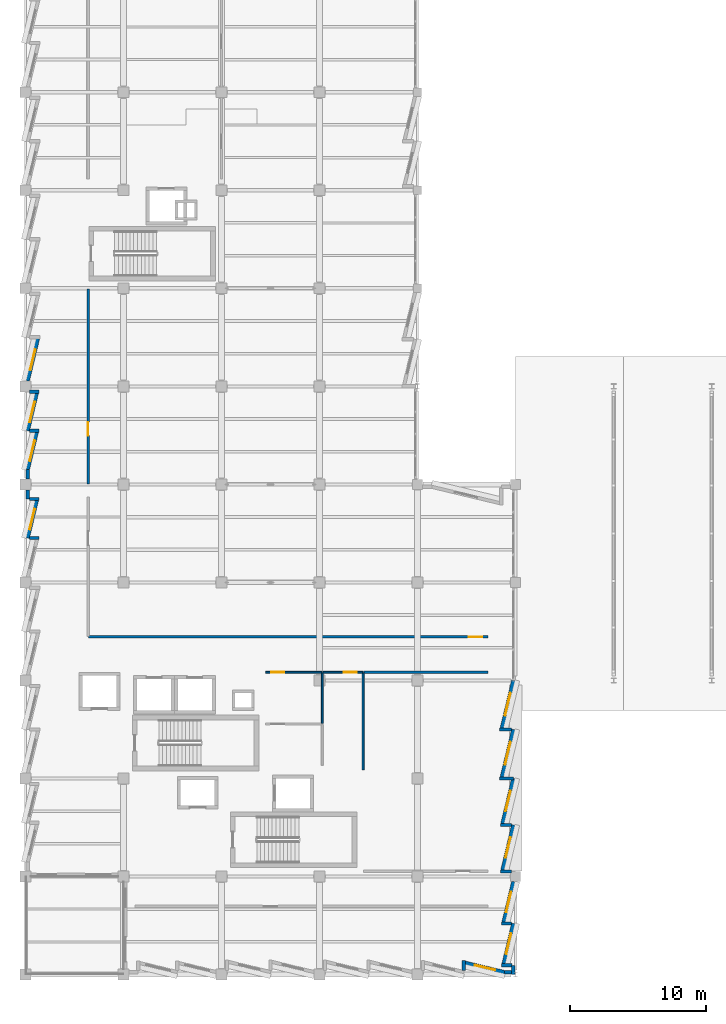
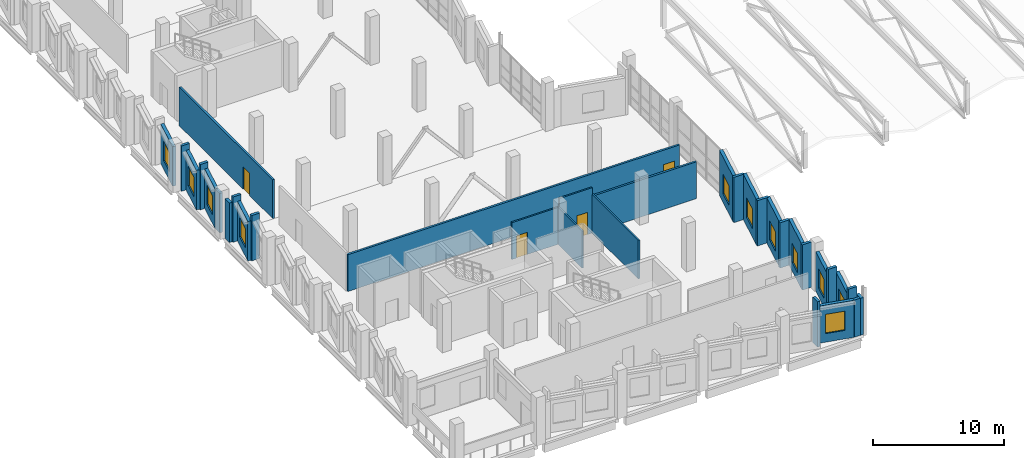
# One storey, part 90 of 123: 33 walls, 11 windows, 4 doors, 15 openings.
"""IFC4 building model written with IfcOpenShell, lengths in metres."""

from ifc_helpers import new_model, si_unit, direction, frame, frame_2d, origin, place, context, subcontext, project, spatial, rectangle, extrude, material, layer, layer_set, type_object, element, fill, save


model = new_model("IFC4")

# Units and contexts
model_context = context("Model", 3, precision=1e-05, world=origin(), true_north=direction((0.0, 1.0)))
body_context = subcontext(model_context, "Body", "Model", "MODEL_VIEW")
ifc_project = project(units=[si_unit("LENGTHUNIT", "METRE"), si_unit("AREAUNIT", "SQUARE_METRE"), si_unit("VOLUMEUNIT", "CUBIC_METRE"), si_unit("PLANEANGLEUNIT", "RADIAN"), si_unit("MASSUNIT", "GRAM", prefix="KILO")], contexts=[model_context])

# Site, building, storey
site_placement = place(None, origin())
site = spatial("IfcSite", under=ifc_project, at=site_placement, CompositionType="ELEMENT")
building_placement = place(site_placement, origin())
building = spatial("IfcBuilding", under=site, at=building_placement, Name="Kalmorath City Hall", CompositionType="ELEMENT")
storey_placement = place(building_placement, frame((0.0, 0.0, 10.199951171875)))
storey = spatial("IfcBuildingStorey", under=building, at=storey_placement, Name="L02", CompositionType="ELEMENT", Elevation=10.199951171875)

# Wall, opening, door
ifc_material_1 = material(Name="Fire-rated acoustic gypsum partition")
ifc_layer_1 = layer(ifc_material_1, 0.179931640625)
ifc_layer_set_1 = layer_set([ifc_layer_1], Name="Fire-rated acoustic gypsum partition")
wall_type_1 = type_object("IfcWallType", Name="One-hour corridor fire partition 180", PredefinedType="PARTITIONING", material=ifc_layer_set_1)
wall_1_placement = place(storey_placement, frame((4.60009765625, 36.0400390625, 0.0), z_axis=(0.0, 0.0, 1.0), x_axis=(0.0, 1.0, 0.0)))
wall_1 = element("IfcWall", 1, at=wall_1_placement, inside=storey, type_object=wall_type_1, Name="L02 interior partition PW2 #107", PredefinedType="PARTITIONING", context=body_context, shape_type="SweptSolid", body=[
    extrude(rectangle(XDim=14.320068359375, YDim=0.179931640625, at=frame_2d((7.16015625, 0.0))), origin(), (0.0, 0.0, 1.0), 3.6181640625),
])
opening_1_placement = place(wall_1_placement, frame((3.5400390625, 0.0, 0.0)))
opening_1 = element("IfcOpeningElement", 2, at=opening_1_placement, cuts=wall_1, Name="Opening D-L02-209", PredefinedType="OPENING", context=body_context, shape_type="SweptSolid", body=[
    extrude(rectangle(XDim=1.0, YDim=2.10009765625, at=frame_2d((0.5, 1.050048828125))), frame((0.0, 0.099853515625, 0.0), z_axis=(0.0, -1.0, 0.0), x_axis=(1.0, 0.0, 0.0)), (0.0, 0.0, 1.0), 0.199951171875),
])
ifc_material_2 = material(Name="Hardwood fire door", Category="wood")
door_type_1 = type_object("IfcDoorType", Name="Corridor 60-min fire door 1000x2100", OperationType="NOTDEFINED", PredefinedType="DOOR", material=ifc_material_2)
door_1_placement = place(opening_1_placement, origin())
door_1 = element("IfcDoor", 3, at=door_1_placement, inside=storey, type_object=door_type_1, Name="L02 door D-L02-209", OperationType="SINGLE_SWING_LEFT", OverallHeight=2.10009765625, OverallWidth=1.0, PredefinedType="DOOR", context=body_context, shape_type="SweptSolid", body=[
    extrude(rectangle(XDim=1.0, YDim=2.10009765625, at=frame_2d((0.5, 1.050048828125))), frame((0.0, 0.02490234375, 0.0), z_axis=(0.0, -1.0, 0.0), x_axis=(1.0, 0.0, 0.0)), (0.0, 0.0, 1.0), 0.050048828125),
])
fill(opening_1, door_1)

# Wall
wall_2_placement = place(storey_placement, frame((24.840087890625, 22.199951171875, 0.0), z_axis=(0.0, 0.0, 1.0), x_axis=(1.0, 0.0, 0.0)))
element("IfcWall", 4, at=wall_2_placement, inside=storey, type_object=wall_type_1, Name="L02 interior partition PW2 #109", PredefinedType="PARTITIONING", context=body_context, shape_type="SweptSolid", body=[
    extrude(rectangle(XDim=9.119873046875, YDim=0.179931640625, at=frame_2d((4.56005859375, 0.0))), origin(), (0.0, 0.0, 1.0), 3.450927734375),
])

# Wall, opening, door
wall_3_placement = place(storey_placement, frame((4.639892578125, 24.800048828125, 0.0), z_axis=(0.0, 0.0, 1.0), x_axis=(1.0, 0.0, 0.0)))
wall_3 = element("IfcWall", 5, at=wall_3_placement, inside=storey, type_object=wall_type_1, Name="L02 interior partition PW2 #110", PredefinedType="PARTITIONING", context=body_context, shape_type="SweptSolid", body=[
    extrude(rectangle(XDim=29.320068359375, YDim=0.179931640625, at=frame_2d((14.66015625, 0.0))), origin(), (0.0, 0.0, 1.0), 3.450927734375),
])
opening_2_placement = place(wall_3_placement, frame((27.89990234375, 0.0, 0.0)))
opening_2 = element("IfcOpeningElement", 6, at=opening_2_placement, cuts=wall_3, Name="Opening D-L02-207", PredefinedType="OPENING", context=body_context, shape_type="SweptSolid", body=[
    extrude(rectangle(XDim=1.0, YDim=2.10009765625, at=frame_2d((0.5, 1.050048828125))), frame((0.0, 0.099853515625, 0.0), z_axis=(0.0, -1.0, 0.0), x_axis=(1.0, 0.0, 0.0)), (0.0, 0.0, 1.0), 0.199951171875),
])
door_2_placement = place(opening_2_placement, origin())
door_2 = element("IfcDoor", 7, at=door_2_placement, inside=storey, type_object=door_type_1, Name="L02 door D-L02-207", OperationType="SINGLE_SWING_LEFT", OverallHeight=2.10009765625, OverallWidth=1.0, PredefinedType="DOOR", context=body_context, shape_type="SweptSolid", body=[
    extrude(rectangle(XDim=1.0, YDim=2.10009765625, at=frame_2d((0.5, 1.050048828125))), frame((0.0, 0.02490234375, 0.0), z_axis=(0.0, -1.0, 0.0), x_axis=(1.0, 0.0, 0.0)), (0.0, 0.0, 1.0), 0.050048828125),
])
fill(opening_2, door_2)

# Walls
ifc_material_3 = material(Name="Precast concrete C40/50", Category="concrete")
ifc_layer_2 = layer(ifc_material_3, 0.239990234375)
ifc_layer_set_2 = layer_set([ifc_layer_2], Name="Precast concrete C40/50")
wall_type_2 = type_object("IfcWallType", Name="Precast sawtooth cheek wall 240", PredefinedType="SOLIDWALL", material=ifc_layer_set_2)
wall_4_placement = place(storey_placement, frame((0.991455078125, 32.06005859375, 0.0), z_axis=(0.0, 0.0, 1.0), x_axis=(-1.0, 0.0, 0.0)))
element("IfcWall", 8, at=wall_4_placement, inside=storey, type_object=wall_type_2, Name="L02 sawtooth return cheek #365", PredefinedType="SOLIDWALL", context=body_context, shape_type="SweptSolid", body=[
    extrude(rectangle(XDim=0.699462890625, YDim=0.239990234375, at=frame_2d((0.349609375, 0.0))), origin(), (0.0, 0.0, 1.0), 4.239990234375),
])
wall_5_placement = place(storey_placement, frame((0.991455078125, 34.9189453125, 0.0), z_axis=(0.0, 0.0, 1.0), x_axis=(-1.0, 0.0, 0.0)))
element("IfcWall", 9, at=wall_5_placement, inside=storey, type_object=wall_type_2, Name="L02 sawtooth return cheek #367", PredefinedType="SOLIDWALL", context=body_context, shape_type="SweptSolid", body=[
    extrude(rectangle(XDim=0.70947265625, YDim=0.239990234375, at=frame_2d((0.354736328125, 0.0))), origin(), (0.0, 0.0, 1.0), 4.239990234375),
])
for number, where, z_axis, x_axis, name in (
    (10, (0.991455078125, 39.93994140625, 0.0), (0.0, 0.0, 1.0), (-1.0, 0.0, 0.0), "L02 sawtooth return cheek #370"),
    (11, (0.991455078125, 42.799072265625, 0.0), (0.0, 0.0, 1.0), (-1.0, 0.0, 0.0), "L02 sawtooth return cheek #372"),
):
    element("IfcWall", number, at=place(storey_placement, frame(where, z_axis=z_axis, x_axis=x_axis)), inside=storey, type_object=wall_type_2, Name=name, PredefinedType="SOLIDWALL", context=body_context, shape_type="SweptSolid", body=[
        extrude(rectangle(XDim=0.699462890625, YDim=0.239990234375, at=frame_2d((0.349609375, 0.0))), origin(), (0.0, 0.0, 1.0), 4.239990234375),
    ])
wall_6_placement = place(storey_placement, frame((34.830810546875, 18.0, 0.0), z_axis=(0.0, 0.0, 1.0), x_axis=(1.0, 0.0, 0.0)))
element("IfcWall", 12, at=wall_6_placement, inside=storey, type_object=wall_type_2, Name="L02 sawtooth return cheek #499", PredefinedType="SOLIDWALL", context=body_context, shape_type="SweptSolid", body=[
    extrude(rectangle(XDim=0.877197265625, YDim=0.239990234375, at=frame_2d((0.4384765625, 0.0))), origin(), (0.0, 0.0, 1.0), 4.239990234375),
])
wall_7_placement = place(storey_placement, frame((34.830810546875, 14.39990234375, 0.0), z_axis=(0.0, 0.0, 1.0), x_axis=(1.0, 0.0, 0.0)))
element("IfcWall", 13, at=wall_7_placement, inside=storey, type_object=wall_type_2, Name="L02 sawtooth return cheek #501", PredefinedType="SOLIDWALL", context=body_context, shape_type="SweptSolid", body=[
    extrude(rectangle(XDim=1.019287109375, YDim=0.239990234375, at=frame_2d((0.509765625, 0.0))), origin(), (0.0, 0.0, 1.0), 4.239990234375),
])
for number, where, z_axis, x_axis, name in (
    (14, (34.8759765625, 10.988037109375, 0.0), (0.0, 0.0, 1.0), (1.0, 0.0, 0.0), "L02 sawtooth return cheek #503"),
    (15, (34.8759765625, 7.575927734375, 0.0), (0.0, 0.0, 1.0), (1.0, 0.0, 0.0), "L02 sawtooth return cheek #505"),
):
    element("IfcWall", number, at=place(storey_placement, frame(where, z_axis=z_axis, x_axis=x_axis)), inside=storey, type_object=wall_type_2, Name=name, PredefinedType="SOLIDWALL", context=body_context, shape_type="SweptSolid", body=[
        extrude(rectangle(XDim=0.83203125, YDim=0.239990234375, at=frame_2d((0.416015625, 0.0))), origin(), (0.0, 0.0, 1.0), 4.239990234375),
    ])
wall_8_placement = place(storey_placement, frame((34.95751953125, 3.751953125, 0.0), z_axis=(0.0, 0.0, 1.0), x_axis=(1.0, 0.0, 0.0)))
element("IfcWall", 16, at=wall_8_placement, inside=storey, type_object=wall_type_2, Name="L02 sawtooth return cheek #508", PredefinedType="SOLIDWALL", context=body_context, shape_type="SweptSolid", body=[
    extrude(rectangle(XDim=0.75048828125, YDim=0.239990234375, at=frame_2d((0.375244140625, 0.0))), origin(), (0.0, 0.0, 1.0), 4.239990234375),
])
wall_9_placement = place(storey_placement, frame((34.95751953125, 0.679931640625, 0.0), z_axis=(0.0, 0.0, 1.0), x_axis=(1.0, 0.0, 0.0)))
element("IfcWall", 17, at=wall_9_placement, inside=storey, type_object=wall_type_2, Name="L02 sawtooth return cheek #510", PredefinedType="SOLIDWALL", context=body_context, shape_type="SweptSolid", body=[
    extrude(rectangle(XDim=0.760498046875, YDim=0.239990234375, at=frame_2d((0.38037109375, 0.0))), origin(), (0.0, 0.0, 1.0), 4.239990234375),
])
wall_10_placement = place(storey_placement, frame((32.196533203125, 1.024169921875, 0.0), z_axis=(0.0, 0.0, 1.0), x_axis=(0.0, -1.0, 0.0)))
element("IfcWall", 18, at=wall_10_placement, inside=storey, type_object=wall_type_2, Name="L02 sawtooth return cheek #513", PredefinedType="SOLIDWALL", context=body_context, shape_type="SweptSolid", body=[
    extrude(rectangle(XDim=0.732177734375, YDim=0.239990234375, at=frame_2d((0.3662109375, 0.0))), origin(), (0.0, 0.0, 1.0), 4.239990234375),
])

# Wall, opening, window
ifc_material_4 = material(Name="Precast concrete C40/50", Category="concrete")
ifc_layer_3 = layer(ifc_material_4, 0.280029296875)
ifc_layer_set_3 = layer_set([ifc_layer_3], Name="Precast concrete C40/50")
wall_type_3 = type_object("IfcWallType", Name="Precast sawtooth facade wall 280", PredefinedType="SOLIDWALL", material=ifc_layer_set_3)
wall_11_placement = place(storey_placement, frame((0.159912109375, 32.06005859375, 0.0), z_axis=(0.0, 0.0, 1.0), x_axis=(0.233480047176, 0.972361593015, 0.0)))
wall_11 = element("IfcWall", 19, at=wall_11_placement, inside=storey, type_object=wall_type_3, Name="L02 sawtooth precast frame #366", PredefinedType="SOLIDWALL", context=body_context, shape_type="SweptSolid", body=[
    extrude(rectangle(XDim=2.84521484375, YDim=0.280029296875, at=frame_2d((1.422607421875, 0.0))), origin(), (0.0, 0.0, 1.0), 3.696044921875),
])
opening_3_placement = place(wall_11_placement, frame((0.647705078125, 0.0, 0.800048828125)))
opening_3 = element("IfcOpeningElement", 20, at=opening_3_placement, cuts=wall_11, Name="Opening WN5", PredefinedType="OPENING", context=body_context, shape_type="SweptSolid", body=[
    extrude(rectangle(XDim=1.550048828125, YDim=1.800048828125, at=frame_2d((0.77490234375, 0.89990234375))), frame((0.0, 0.14990234375, 0.0), z_axis=(0.0, -1.0, 0.0), x_axis=(1.0, 0.0, 0.0)), (0.0, 0.0, 1.0), 0.300048828125),
])
ifc_material_5 = material(Name="Aluminium and laminated glass", Category="aluminium")
window_type_1 = type_object("IfcWindowType", Name="Sawtooth corner bay window 1550x1800", PartitioningType="SINGLE_PANEL", PredefinedType="WINDOW", material=ifc_material_5)
window_1_placement = place(opening_3_placement, origin())
window_1 = element("IfcWindow", 21, at=window_1_placement, inside=storey, type_object=window_type_1, Name="L02 window WN5-176", OverallHeight=1.800048828125, OverallWidth=1.550048828125, PartitioningType="SINGLE_PANEL", PredefinedType="WINDOW", context=body_context, shape_type="SweptSolid", body=[
    extrude(rectangle(XDim=1.550048828125, YDim=1.800048828125, at=frame_2d((0.77490234375, 0.89990234375))), frame((0.0, 0.030029296875, 0.0), z_axis=(0.0, -1.0, 0.0), x_axis=(1.0, 0.0, 0.0)), (0.0, 0.0, 1.0), 0.06005859375),
])
fill(opening_3, window_1)

wall_12_placement = place(storey_placement, frame((0.159912109375, 37.0810546875, 0.0), z_axis=(0.0, 0.0, 1.0), x_axis=(0.233480047176, 0.972361593015, 0.0)))
wall_12 = element("IfcWall", 22, at=wall_12_placement, inside=storey, type_object=wall_type_3, Name="L02 sawtooth precast frame #369", PredefinedType="SOLIDWALL", context=body_context, shape_type="SweptSolid", body=[
    extrude(rectangle(XDim=2.84521484375, YDim=0.280029296875, at=frame_2d((1.422607421875, 0.0))), origin(), (0.0, 0.0, 1.0), 3.696044921875),
])
opening_4_placement = place(wall_12_placement, frame((0.647705078125, 0.0, 0.800048828125)))
opening_4 = element("IfcOpeningElement", 23, at=opening_4_placement, cuts=wall_12, Name="Opening WN5", PredefinedType="OPENING", context=body_context, shape_type="SweptSolid", body=[
    extrude(rectangle(XDim=1.550048828125, YDim=1.800048828125, at=frame_2d((0.77490234375, 0.89990234375))), frame((0.0, 0.14990234375, 0.0), z_axis=(0.0, -1.0, 0.0), x_axis=(1.0, 0.0, 0.0)), (0.0, 0.0, 1.0), 0.300048828125),
])
window_2_placement = place(opening_4_placement, origin())
window_2 = element("IfcWindow", 24, at=window_2_placement, inside=storey, type_object=window_type_1, Name="L02 window WN5-177", OverallHeight=1.800048828125, OverallWidth=1.550048828125, PartitioningType="SINGLE_PANEL", PredefinedType="WINDOW", context=body_context, shape_type="SweptSolid", body=[
    extrude(rectangle(XDim=1.550048828125, YDim=1.800048828125, at=frame_2d((0.77490234375, 0.89990234375))), frame((0.0, 0.030029296875, 0.0), z_axis=(0.0, -1.0, 0.0), x_axis=(1.0, 0.0, 0.0)), (0.0, 0.0, 1.0), 0.06005859375),
])
fill(opening_4, window_2)

wall_13_placement = place(storey_placement, frame((0.159912109375, 39.93994140625, 0.0), z_axis=(0.0, 0.0, 1.0), x_axis=(0.233480047176, 0.972361593015, 0.0)))
wall_13 = element("IfcWall", 25, at=wall_13_placement, inside=storey, type_object=wall_type_3, Name="L02 sawtooth precast frame #371", PredefinedType="SOLIDWALL", context=body_context, shape_type="SweptSolid", body=[
    extrude(rectangle(XDim=2.84521484375, YDim=0.280029296875, at=frame_2d((1.422607421875, 0.0))), origin(), (0.0, 0.0, 1.0), 3.696044921875),
])
opening_5_placement = place(wall_13_placement, frame((0.647705078125, 0.0, 0.800048828125)))
opening_5 = element("IfcOpeningElement", 26, at=opening_5_placement, cuts=wall_13, Name="Opening WN5", PredefinedType="OPENING", context=body_context, shape_type="SweptSolid", body=[
    extrude(rectangle(XDim=1.550048828125, YDim=1.800048828125, at=frame_2d((0.77490234375, 0.89990234375))), frame((0.0, 0.14990234375, 0.0), z_axis=(0.0, -1.0, 0.0), x_axis=(1.0, 0.0, 0.0)), (0.0, 0.0, 1.0), 0.300048828125),
])
window_3_placement = place(opening_5_placement, origin())
window_3 = element("IfcWindow", 27, at=window_3_placement, inside=storey, type_object=window_type_1, Name="L02 window WN5-178", OverallHeight=1.800048828125, OverallWidth=1.550048828125, PartitioningType="SINGLE_PANEL", PredefinedType="WINDOW", context=body_context, shape_type="SweptSolid", body=[
    extrude(rectangle(XDim=1.550048828125, YDim=1.800048828125, at=frame_2d((0.77490234375, 0.89990234375))), frame((0.0, 0.030029296875, 0.0), z_axis=(0.0, -1.0, 0.0), x_axis=(1.0, 0.0, 0.0)), (0.0, 0.0, 1.0), 0.06005859375),
])
fill(opening_5, window_3)

wall_14_placement = place(storey_placement, frame((0.159912109375, 43.60107421875, 0.0), z_axis=(0.0, 0.0, 1.0), x_axis=(0.233462551123, 0.972365793939, 0.0)))
wall_14 = element("IfcWall", 28, at=wall_14_placement, inside=storey, type_object=wall_type_3, Name="L02 sawtooth precast frame #373", PredefinedType="SOLIDWALL", context=body_context, shape_type="SweptSolid", body=[
    extrude(rectangle(XDim=3.19482421875, YDim=0.280029296875, at=frame_2d((1.597412109375, 0.0))), origin(), (0.0, 0.0, 1.0), 3.696044921875),
])
opening_6_placement = place(wall_14_placement, frame((0.822509765625, 0.0, 0.800048828125)))
opening_6 = element("IfcOpeningElement", 29, at=opening_6_placement, cuts=wall_14, Name="Opening WN5", PredefinedType="OPENING", context=body_context, shape_type="SweptSolid", body=[
    extrude(rectangle(XDim=1.550048828125, YDim=1.800048828125, at=frame_2d((0.77490234375, 0.89990234375))), frame((0.0, 0.14990234375, 0.0), z_axis=(0.0, -1.0, 0.0), x_axis=(1.0, 0.0, 0.0)), (0.0, 0.0, 1.0), 0.300048828125),
])
window_4_placement = place(opening_6_placement, origin())
window_4 = element("IfcWindow", 30, at=window_4_placement, inside=storey, type_object=window_type_1, Name="L02 window WN5-179", OverallHeight=1.800048828125, OverallWidth=1.550048828125, PartitioningType="SINGLE_PANEL", PredefinedType="WINDOW", context=body_context, shape_type="SweptSolid", body=[
    extrude(rectangle(XDim=1.550048828125, YDim=1.800048828125, at=frame_2d((0.77490234375, 0.89990234375))), frame((0.0, 0.030029296875, 0.0), z_axis=(0.0, -1.0, 0.0), x_axis=(1.0, 0.0, 0.0)), (0.0, 0.0, 1.0), 0.06005859375),
])
fill(opening_6, window_4)

wall_15_placement = place(storey_placement, frame((35.840087890625, 21.60009765625, 0.0), z_axis=(0.0, 0.0, 1.0), x_axis=(-0.233480453725, -0.972361495396, 0.0)))
wall_15 = element("IfcWall", 31, at=wall_15_placement, inside=storey, type_object=wall_type_3, Name="L02 sawtooth precast frame #498", PredefinedType="SOLIDWALL", context=body_context, shape_type="SweptSolid", body=[
    extrude(rectangle(XDim=3.607421875, YDim=0.280029296875, at=frame_2d((1.8037109375, 0.0))), origin(), (0.0, 0.0, 1.0), 4.239990234375),
])
opening_7_placement = place(wall_15_placement, frame((0.95361328125, 0.0, 0.800048828125)))
opening_7 = element("IfcOpeningElement", 32, at=opening_7_placement, cuts=wall_15, Name="Opening WN6", PredefinedType="OPENING", context=body_context, shape_type="SweptSolid", body=[
    extrude(rectangle(XDim=1.699951171875, YDim=1.85009765625, at=frame_2d((0.85009765625, 0.925048828125))), frame((0.0, 0.14990234375, 0.0), z_axis=(0.0, -1.0, 0.0), x_axis=(1.0, 0.0, 0.0)), (0.0, 0.0, 1.0), 0.300048828125),
])
ifc_material_6 = material(Name="Aluminium and laminated glass", Category="aluminium")
window_type_2 = type_object("IfcWindowType", Name="Sawtooth west wing window 1700x1850", PartitioningType="SINGLE_PANEL", PredefinedType="WINDOW", material=ifc_material_6)
window_5_placement = place(opening_7_placement, origin())
window_5 = element("IfcWindow", 33, at=window_5_placement, inside=storey, type_object=window_type_2, Name="L02 window WN6-261", OverallHeight=1.85009765625, OverallWidth=1.699951171875, PartitioningType="SINGLE_PANEL", PredefinedType="WINDOW", context=body_context, shape_type="SweptSolid", body=[
    extrude(rectangle(XDim=1.699951171875, YDim=1.85009765625, at=frame_2d((0.85009765625, 0.925048828125))), frame((0.0, 0.030029296875, 0.0), z_axis=(0.0, -1.0, 0.0), x_axis=(1.0, 0.0, 0.0)), (0.0, 0.0, 1.0), 0.06005859375),
])
fill(opening_7, window_5)

wall_16_placement = place(storey_placement, frame((35.840087890625, 18.0, 0.0), z_axis=(0.0, 0.0, 1.0), x_axis=(-0.233495818898, -0.972357805829, 0.0)))
wall_16 = element("IfcWall", 34, at=wall_16_placement, inside=storey, type_object=wall_type_3, Name="L02 sawtooth precast frame #500", PredefinedType="SOLIDWALL", context=body_context, shape_type="SweptSolid", body=[
    extrude(rectangle(XDim=3.607177734375, YDim=0.280029296875, at=frame_2d((1.8037109375, 0.0))), origin(), (0.0, 0.0, 1.0), 4.239990234375),
])
opening_8_placement = place(wall_16_placement, frame((0.95361328125, 0.0, 0.800048828125)))
opening_8 = element("IfcOpeningElement", 35, at=opening_8_placement, cuts=wall_16, Name="Opening WN6", PredefinedType="OPENING", context=body_context, shape_type="SweptSolid", body=[
    extrude(rectangle(XDim=1.699951171875, YDim=1.85009765625, at=frame_2d((0.85009765625, 0.925048828125))), frame((0.0, 0.14990234375, 0.0), z_axis=(0.0, -1.0, 0.0), x_axis=(1.0, 0.0, 0.0)), (0.0, 0.0, 1.0), 0.300048828125),
])
window_6_placement = place(opening_8_placement, origin())
window_6 = element("IfcWindow", 36, at=window_6_placement, inside=storey, type_object=window_type_2, Name="L02 window WN6-262", OverallHeight=1.85009765625, OverallWidth=1.699951171875, PartitioningType="SINGLE_PANEL", PredefinedType="WINDOW", context=body_context, shape_type="SweptSolid", body=[
    extrude(rectangle(XDim=1.699951171875, YDim=1.85009765625, at=frame_2d((0.85009765625, 0.925048828125))), frame((0.0, 0.030029296875, 0.0), z_axis=(0.0, -1.0, 0.0), x_axis=(1.0, 0.0, 0.0)), (0.0, 0.0, 1.0), 0.06005859375),
])
fill(opening_8, window_6)

wall_17_placement = place(storey_placement, frame((35.840087890625, 14.39990234375, 0.0), z_axis=(0.0, 0.0, 1.0), x_axis=(-0.23342163795, -0.972375616178, 0.0)))
wall_17 = element("IfcWall", 37, at=wall_17_placement, inside=storey, type_object=wall_type_3, Name="L02 sawtooth precast frame #502", PredefinedType="SOLIDWALL", context=body_context, shape_type="SweptSolid", body=[
    extrude(rectangle(XDim=3.413818359375, YDim=0.280029296875, at=frame_2d((1.70703125, 0.0))), origin(), (0.0, 0.0, 1.0), 4.239990234375),
])
opening_9_placement = place(wall_17_placement, frame((0.931884765625, 0.0, 0.800048828125)))
opening_9 = element("IfcOpeningElement", 38, at=opening_9_placement, cuts=wall_17, Name="Opening WN5", PredefinedType="OPENING", context=body_context, shape_type="SweptSolid", body=[
    extrude(rectangle(XDim=1.550048828125, YDim=1.800048828125, at=frame_2d((0.77490234375, 0.89990234375))), frame((0.0, 0.14990234375, 0.0), z_axis=(0.0, -1.0, 0.0), x_axis=(1.0, 0.0, 0.0)), (0.0, 0.0, 1.0), 0.300048828125),
])
window_7_placement = place(opening_9_placement, origin())
window_7 = element("IfcWindow", 39, at=window_7_placement, inside=storey, type_object=window_type_1, Name="L02 window WN5-263", OverallHeight=1.800048828125, OverallWidth=1.550048828125, PartitioningType="SINGLE_PANEL", PredefinedType="WINDOW", context=body_context, shape_type="SweptSolid", body=[
    extrude(rectangle(XDim=1.550048828125, YDim=1.800048828125, at=frame_2d((0.77490234375, 0.89990234375))), frame((0.0, 0.030029296875, 0.0), z_axis=(0.0, -1.0, 0.0), x_axis=(1.0, 0.0, 0.0)), (0.0, 0.0, 1.0), 0.06005859375),
])
fill(opening_9, window_7)

wall_18_placement = place(storey_placement, frame((35.840087890625, 10.988037109375, 0.0), z_axis=(0.0, 0.0, 1.0), x_axis=(-0.23342163795, -0.972375616178, 0.0)))
wall_18 = element("IfcWall", 40, at=wall_18_placement, inside=storey, type_object=wall_type_3, Name="L02 sawtooth precast frame #504", PredefinedType="SOLIDWALL", context=body_context, shape_type="SweptSolid", body=[
    extrude(rectangle(XDim=3.413818359375, YDim=0.280029296875, at=frame_2d((1.70703125, 0.0))), origin(), (0.0, 0.0, 1.0), 4.239990234375),
])
opening_10_placement = place(wall_18_placement, frame((0.931884765625, 0.0, 0.800048828125)))
opening_10 = element("IfcOpeningElement", 41, at=opening_10_placement, cuts=wall_18, Name="Opening WN5", PredefinedType="OPENING", context=body_context, shape_type="SweptSolid", body=[
    extrude(rectangle(XDim=1.550048828125, YDim=1.800048828125, at=frame_2d((0.77490234375, 0.89990234375))), frame((0.0, 0.14990234375, 0.0), z_axis=(0.0, -1.0, 0.0), x_axis=(1.0, 0.0, 0.0)), (0.0, 0.0, 1.0), 0.300048828125),
])
window_8_placement = place(opening_10_placement, origin())
window_8 = element("IfcWindow", 42, at=window_8_placement, inside=storey, type_object=window_type_1, Name="L02 window WN5-264", OverallHeight=1.800048828125, OverallWidth=1.550048828125, PartitioningType="SINGLE_PANEL", PredefinedType="WINDOW", context=body_context, shape_type="SweptSolid", body=[
    extrude(rectangle(XDim=1.550048828125, YDim=1.800048828125, at=frame_2d((0.77490234375, 0.89990234375))), frame((0.0, 0.030029296875, 0.0), z_axis=(0.0, -1.0, 0.0), x_axis=(1.0, 0.0, 0.0)), (0.0, 0.0, 1.0), 0.06005859375),
])
fill(opening_10, window_8)

wall_19_placement = place(storey_placement, frame((35.840087890625, 6.823974609375, 0.0), z_axis=(0.0, 0.0, 1.0), x_axis=(-0.233451302002, -0.972368494756, 0.0)))
wall_19 = element("IfcWall", 43, at=wall_19_placement, inside=storey, type_object=wall_type_3, Name="L02 sawtooth precast frame #507", PredefinedType="SOLIDWALL", context=body_context, shape_type="SweptSolid", body=[
    extrude(rectangle(XDim=3.064208984375, YDim=0.280029296875, at=frame_2d((1.5322265625, 0.0))), origin(), (0.0, 0.0, 1.0), 3.696044921875),
])
opening_11_placement = place(wall_19_placement, frame((0.757080078125, 0.0, 0.800048828125)))
opening_11 = element("IfcOpeningElement", 44, at=opening_11_placement, cuts=wall_19, Name="Opening WN5", PredefinedType="OPENING", context=body_context, shape_type="SweptSolid", body=[
    extrude(rectangle(XDim=1.550048828125, YDim=1.800048828125, at=frame_2d((0.77490234375, 0.89990234375))), frame((0.0, 0.14990234375, 0.0), z_axis=(0.0, -1.0, 0.0), x_axis=(1.0, 0.0, 0.0)), (0.0, 0.0, 1.0), 0.300048828125),
])
window_9_placement = place(opening_11_placement, origin())
window_9 = element("IfcWindow", 45, at=window_9_placement, inside=storey, type_object=window_type_1, Name="L02 window WN5-265", OverallHeight=1.800048828125, OverallWidth=1.550048828125, PartitioningType="SINGLE_PANEL", PredefinedType="WINDOW", context=body_context, shape_type="SweptSolid", body=[
    extrude(rectangle(XDim=1.550048828125, YDim=1.800048828125, at=frame_2d((0.77490234375, 0.89990234375))), frame((0.0, 0.030029296875, 0.0), z_axis=(0.0, -1.0, 0.0), x_axis=(1.0, 0.0, 0.0)), (0.0, 0.0, 1.0), 0.06005859375),
])
fill(opening_11, window_9)

wall_20_placement = place(storey_placement, frame((35.840087890625, 3.751953125, 0.0), z_axis=(0.0, 0.0, 1.0), x_axis=(-0.233451302002, -0.972368494756, 0.0)))
wall_20 = element("IfcWall", 46, at=wall_20_placement, inside=storey, type_object=wall_type_3, Name="L02 sawtooth precast frame #509", PredefinedType="SOLIDWALL", context=body_context, shape_type="SweptSolid", body=[
    extrude(rectangle(XDim=3.064208984375, YDim=0.280029296875, at=frame_2d((1.5322265625, 0.0))), origin(), (0.0, 0.0, 1.0), 3.696044921875),
])
opening_12_placement = place(wall_20_placement, frame((0.757080078125, 0.0, 0.800048828125)))
opening_12 = element("IfcOpeningElement", 47, at=opening_12_placement, cuts=wall_20, Name="Opening WN5", PredefinedType="OPENING", context=body_context, shape_type="SweptSolid", body=[
    extrude(rectangle(XDim=1.550048828125, YDim=1.800048828125, at=frame_2d((0.77490234375, 0.89990234375))), frame((0.0, 0.14990234375, 0.0), z_axis=(0.0, -1.0, 0.0), x_axis=(1.0, 0.0, 0.0)), (0.0, 0.0, 1.0), 0.300048828125),
])
window_10_placement = place(opening_12_placement, origin())
window_10 = element("IfcWindow", 48, at=window_10_placement, inside=storey, type_object=window_type_1, Name="L02 window WN5-266", OverallHeight=1.800048828125, OverallWidth=1.550048828125, PartitioningType="SINGLE_PANEL", PredefinedType="WINDOW", context=body_context, shape_type="SweptSolid", body=[
    extrude(rectangle(XDim=1.550048828125, YDim=1.800048828125, at=frame_2d((0.77490234375, 0.89990234375))), frame((0.0, 0.030029296875, 0.0), z_axis=(0.0, -1.0, 0.0), x_axis=(1.0, 0.0, 0.0)), (0.0, 0.0, 1.0), 0.06005859375),
])
fill(opening_12, window_10)

wall_21_placement = place(storey_placement, frame((35.19189453125, 0.159912109375, 0.0), z_axis=(0.0, 0.0, 1.0), x_axis=(-0.972365772055, 0.233462642269, 0.0)))
wall_21 = element("IfcWall", 49, at=wall_21_placement, inside=storey, type_object=wall_type_3, Name="L02 sawtooth precast frame #512", PredefinedType="SOLIDWALL", context=body_context, shape_type="SweptSolid", body=[
    extrude(rectangle(XDim=2.985595703125, YDim=0.280029296875, at=frame_2d((1.49267578125, 0.0))), origin(), (0.0, 0.0, 1.0), 3.470947265625),
])
opening_13_placement = place(wall_21_placement, frame((0.7177734375, 0.0, 0.800048828125)))
opening_13 = element("IfcOpeningElement", 50, at=opening_13_placement, cuts=wall_21, Name="Opening WN5", PredefinedType="OPENING", context=body_context, shape_type="SweptSolid", body=[
    extrude(rectangle(XDim=1.550048828125, YDim=1.800048828125, at=frame_2d((0.77490234375, 0.89990234375))), frame((0.0, 0.14990234375, 0.0), z_axis=(0.0, -1.0, 0.0), x_axis=(1.0, 0.0, 0.0)), (0.0, 0.0, 1.0), 0.300048828125),
])
window_11_placement = place(opening_13_placement, origin())
window_11 = element("IfcWindow", 51, at=window_11_placement, inside=storey, type_object=window_type_1, Name="L02 window WN5-267", OverallHeight=1.800048828125, OverallWidth=1.550048828125, PartitioningType="SINGLE_PANEL", PredefinedType="WINDOW", context=body_context, shape_type="SweptSolid", body=[
    extrude(rectangle(XDim=1.550048828125, YDim=1.800048828125, at=frame_2d((0.77490234375, 0.89990234375))), frame((0.0, 0.030029296875, 0.0), z_axis=(0.0, -1.0, 0.0), x_axis=(1.0, 0.0, 0.0)), (0.0, 0.0, 1.0), 0.06005859375),
])
fill(opening_13, window_11)

# Walls
ifc_material_7 = material(Name="Precast concrete C40/50", Category="concrete")
ifc_layer_4 = layer(ifc_material_7, 0.260009765625)
ifc_layer_set_4 = layer_set([ifc_layer_4], Name="Precast concrete C40/50")
wall_type_4 = type_object("IfcWallType", Name="Precast sawtooth return wall 260", PredefinedType="SOLIDWALL", material=ifc_layer_set_4)
for number, where, z_axis, x_axis, name in (
    (52, (0.159912109375, 34.9189453125, 0.0), (0.0, 0.0, 1.0), (0.0, 1.0, 0.0), "L02 corner pier wall #363"),
    (53, (0.159912109375, 36.40087890625, 0.0), (0.0, 0.0, 1.0), (0.0, 1.0, 0.0), "L02 corner pier wall #368"),
):
    element("IfcWall", number, at=place(storey_placement, frame(where, z_axis=z_axis, x_axis=x_axis)), inside=storey, type_object=wall_type_4, Name=name, PredefinedType="SOLIDWALL", context=body_context, shape_type="SweptSolid", body=[
        extrude(rectangle(XDim=0.68017578125, YDim=0.260009765625, at=frame_2d((0.340087890625, 0.0))), origin(), (0.0, 0.0, 1.0), 3.696044921875),
    ])
wall_22_placement = place(storey_placement, frame((35.840087890625, 0.679931640625, 0.0), z_axis=(0.0, 0.0, 1.0), x_axis=(0.0, -1.0, 0.0)))
element("IfcWall", 54, at=wall_22_placement, inside=storey, type_object=wall_type_4, Name="L02 corner pier wall #506", PredefinedType="SOLIDWALL", context=body_context, shape_type="SweptSolid", body=[
    extrude(rectangle(XDim=0.679931640625, YDim=0.260009765625, at=frame_2d((0.33984375, 0.0))), origin(), (0.0, 0.0, 1.0), 3.470947265625),
])
wall_23_placement = place(storey_placement, frame((35.8720703125, 0.159912109375, 0.0), z_axis=(0.0, 0.0, 1.0), x_axis=(-1.0, 0.0, 0.0)))
element("IfcWall", 55, at=wall_23_placement, inside=storey, type_object=wall_type_4, Name="L02 corner pier wall #511", PredefinedType="SOLIDWALL", context=body_context, shape_type="SweptSolid", body=[
    extrude(rectangle(XDim=0.68017578125, YDim=0.260009765625, at=frame_2d((0.340087890625, 0.0))), origin(), (0.0, 0.0, 1.0), 3.470947265625),
])

# Wall, opening, door
ifc_material_8 = material(Name="Moisture-resistant fire-rated partition")
ifc_layer_5 = layer(ifc_material_8, 0.139892578125)
ifc_layer_set_5 = layer_set([ifc_layer_5], Name="Moisture-resistant fire-rated partition")
wall_type_5 = type_object("IfcWallType", Name="Restroom wet-wall tile partition 140", PredefinedType="PARTITIONING", material=ifc_layer_set_5)
wall_24_placement = place(storey_placement, frame((17.639892578125, 22.199951171875, 0.0), z_axis=(0.0, 0.0, 1.0), x_axis=(1.0, 0.0, 0.0)))
wall_24 = element("IfcWall", 56, at=wall_24_placement, inside=storey, type_object=wall_type_5, Name="L02 interior partition PW5 #111", PredefinedType="PARTITIONING", context=body_context, shape_type="SweptSolid", body=[
    extrude(rectangle(XDim=4.1201171875, YDim=0.139892578125, at=frame_2d((2.06005859375, 0.0))), origin(), (0.0, 0.0, 1.0), 3.450927734375),
])
opening_14_placement = place(wall_24_placement, frame((0.419921875, 0.0, 0.0)))
opening_14 = element("IfcOpeningElement", 57, at=opening_14_placement, cuts=wall_24, Name="Opening D-L02-217", PredefinedType="OPENING", context=body_context, shape_type="SweptSolid", body=[
    extrude(rectangle(XDim=0.949951171875, YDim=2.080078125, at=frame_2d((0.47509765625, 1.0400390625))), frame((0.0, 0.079833984375, 0.0), z_axis=(0.0, -1.0, 0.0), x_axis=(1.0, 0.0, 0.0)), (0.0, 0.0, 1.0), 0.159912109375),
])
ifc_material_9 = material(Name="Laminate solid-core door")
door_type_2 = type_object("IfcDoorType", Name="Restroom accessible door 950x2080", OperationType="NOTDEFINED", PredefinedType="DOOR", material=ifc_material_9)
door_3_placement = place(opening_14_placement, origin())
door_3 = element("IfcDoor", 58, at=door_3_placement, inside=storey, type_object=door_type_2, Name="L02 door D-L02-217", OperationType="SINGLE_SWING_LEFT", OverallHeight=2.080078125, OverallWidth=0.949951171875, PredefinedType="DOOR", context=body_context, shape_type="SweptSolid", body=[
    extrude(rectangle(XDim=0.949951171875, YDim=2.080078125, at=frame_2d((0.47509765625, 1.0400390625))), frame((0.0, 0.02490234375, 0.0), z_axis=(0.0, -1.0, 0.0), x_axis=(1.0, 0.0, 0.0)), (0.0, 0.0, 1.0), 0.050048828125),
])
fill(opening_14, door_3)

wall_25_placement = place(storey_placement, frame((21.840087890625, 22.199951171875, 0.0), z_axis=(0.0, 0.0, 1.0), x_axis=(1.0, 0.0, 0.0)))
wall_25 = element("IfcWall", 59, at=wall_25_placement, inside=storey, type_object=wall_type_5, Name="L02 interior partition PW5 #112", PredefinedType="PARTITIONING", context=body_context, shape_type="SweptSolid", body=[
    extrude(rectangle(XDim=2.919921875, YDim=0.139892578125, at=frame_2d((1.4599609375, 0.0))), origin(), (0.0, 0.0, 1.0), 4.239990234375),
])
opening_15_placement = place(wall_25_placement, frame((1.550048828125, 0.0, 0.0)))
opening_15 = element("IfcOpeningElement", 60, at=opening_15_placement, cuts=wall_25, Name="Opening D-L02-218", PredefinedType="OPENING", context=body_context, shape_type="SweptSolid", body=[
    extrude(rectangle(XDim=0.949951171875, YDim=2.080078125, at=frame_2d((0.47509765625, 1.0400390625))), frame((0.0, 0.079833984375, 0.0), z_axis=(0.0, -1.0, 0.0), x_axis=(1.0, 0.0, 0.0)), (0.0, 0.0, 1.0), 0.159912109375),
])
door_4_placement = place(opening_15_placement, origin())
door_4 = element("IfcDoor", 61, at=door_4_placement, inside=storey, type_object=door_type_2, Name="L02 door D-L02-218", OperationType="SINGLE_SWING_RIGHT", OverallHeight=2.080078125, OverallWidth=0.949951171875, PredefinedType="DOOR", context=body_context, shape_type="SweptSolid", body=[
    extrude(rectangle(XDim=0.949951171875, YDim=2.080078125, at=frame_2d((0.47509765625, 1.0400390625))), frame((0.0, 0.02490234375, 0.0), z_axis=(0.0, -1.0, 0.0), x_axis=(1.0, 0.0, 0.0)), (0.0, 0.0, 1.0), 0.050048828125),
])
fill(opening_15, door_4)

# Walls
wall_26_placement = place(storey_placement, frame((24.800048828125, 15.0400390625, 0.0), z_axis=(0.0, 0.0, 1.0), x_axis=(0.0, 1.0, 0.0)))
element("IfcWall", 62, at=wall_26_placement, inside=storey, type_object=wall_type_5, Name="L02 interior partition PW5 #122", PredefinedType="PARTITIONING", context=body_context, shape_type="SweptSolid", body=[
    extrude(rectangle(XDim=7.119873046875, YDim=0.139892578125, at=frame_2d((3.56005859375, 0.0))), origin(), (0.0, 0.0, 1.0), 3.6181640625),
])
wall_27_placement = place(storey_placement, frame((21.800048828125, 18.43994140625, 0.0), z_axis=(0.0, 0.0, 1.0), x_axis=(0.0, 1.0, 0.0)))
element("IfcWall", 63, at=wall_27_placement, inside=storey, type_object=wall_type_5, Name="L02 interior partition PW5 #128", PredefinedType="PARTITIONING", context=body_context, shape_type="SweptSolid", body=[
    extrude(rectangle(XDim=3.719970703125, YDim=0.139892578125, at=frame_2d((1.85986328125, 0.0))), origin(), (0.0, 0.0, 1.0), 3.450927734375),
])

save(model, "model.ifc")
